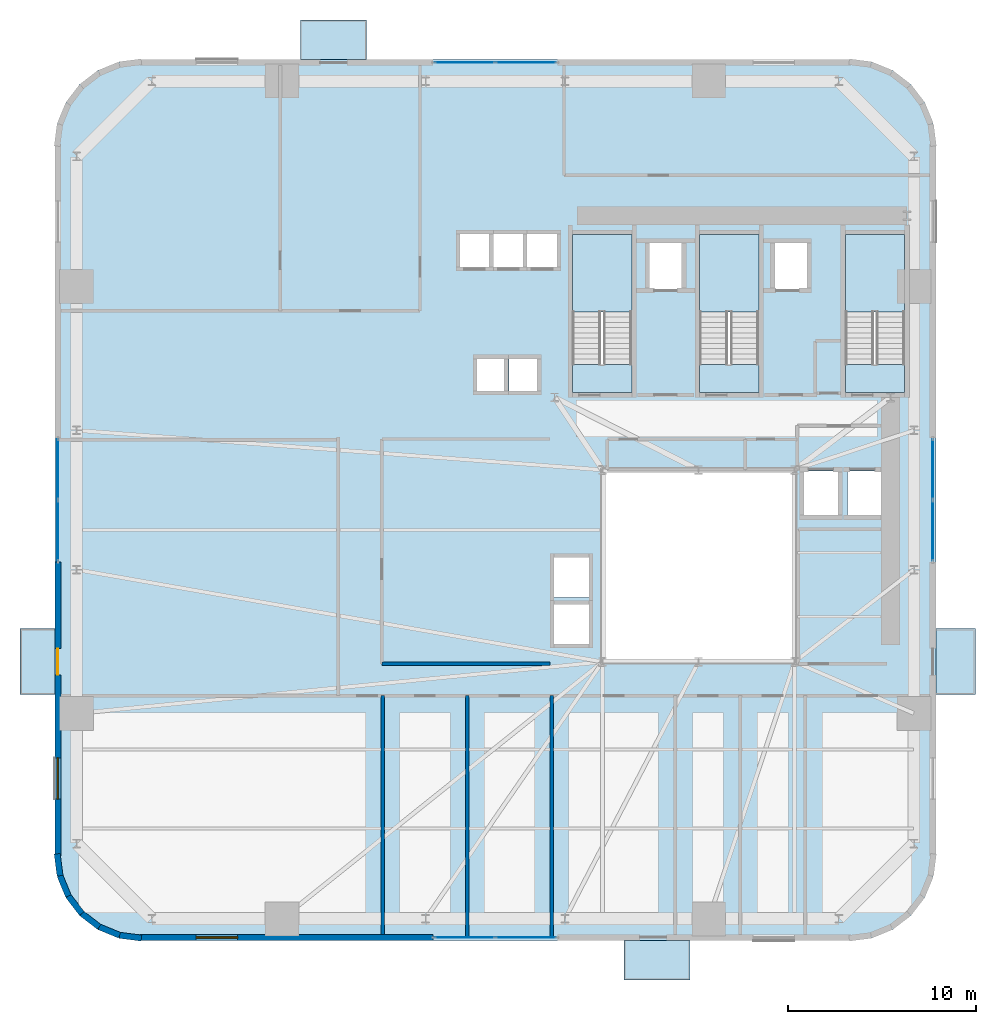
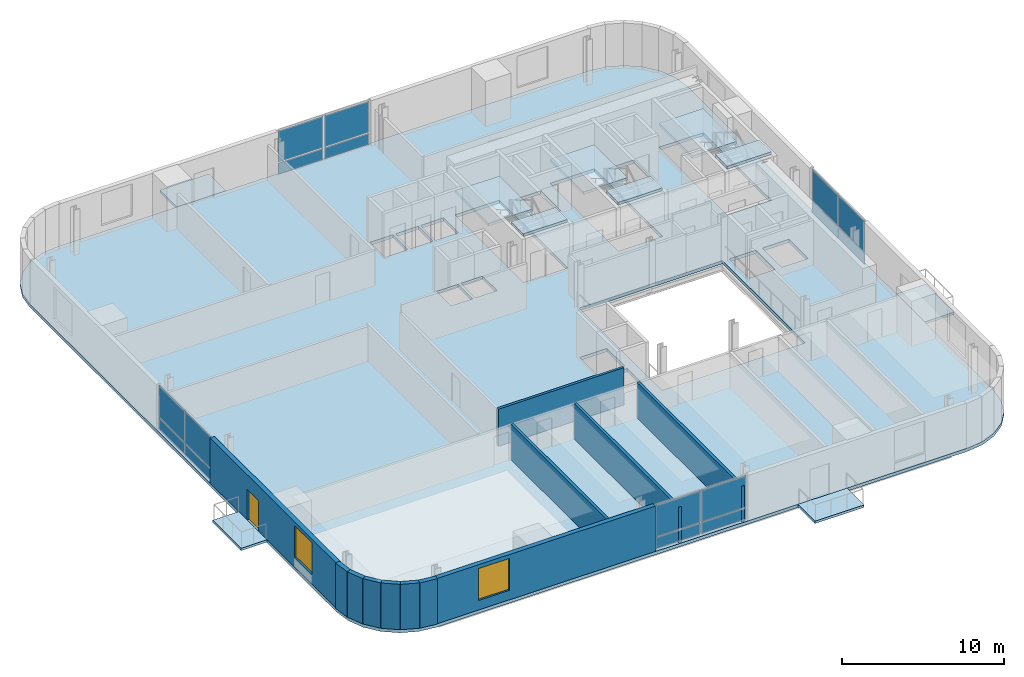
# One storey, part 5 of 13: 16 plates, 12 walls, 11 slabs, 2 windows, 1 door, 3 openings, 7 elements without a shape of their own.
"""IFC4 building model written with IfcOpenShell, lengths in metres."""

from ifc_helpers import new_model, si_unit, direction, frame, frame_2d, origin, origin_2d, place, context, subcontext, project, spatial, polyline, rectangle, outline, extrude, source, transform, mapped, material, layer, layer_set, type_object, element, fill, aggregate, save


model = new_model("IFC4")

# Units and contexts
model_context = context("Model", 3, precision=1e-05, world=origin(), true_north=direction((0.0, 1.0)))
body_context = subcontext(model_context, "Body", "Model", "MODEL_VIEW")
ifc_project = project(units=[si_unit("LENGTHUNIT", "METRE"), si_unit("AREAUNIT", "SQUARE_METRE"), si_unit("VOLUMEUNIT", "CUBIC_METRE"), si_unit("PLANEANGLEUNIT", "RADIAN"), si_unit("MASSUNIT", "GRAM", prefix="KILO")], contexts=[model_context])

# Site, building, storey
site_placement = place(None, origin())
site = spatial("IfcSite", under=ifc_project, at=site_placement, CompositionType="ELEMENT")
building_placement = place(site_placement, origin())
building = spatial("IfcBuilding", under=site, at=building_placement, Name="Vardaveli Station Tower", CompositionType="ELEMENT")
storey_placement = place(building_placement, frame((0.0, 0.0, 82.35009765625)))
storey = spatial("IfcBuildingStorey", under=building, at=storey_placement, Name="L21", CompositionType="ELEMENT", Elevation=82.35009765625)

# Stair, slabs
ifc_material_1 = material(Name="Concrete C40/50", Category="concrete")
stair_type = type_object("IfcStairType", Name="STR-CORE-1500", PredefinedType="HALF_TURN_STAIR", material=ifc_material_1)
stair_1_placement = place(storey_placement, origin())
stair_1 = element("IfcStair", 1, at=stair_1_placement, inside=storey, type_object=stair_type, Name="L21 ST-1", PredefinedType="HALF_TURN_STAIR")
ifc_layer_1 = layer(ifc_material_1, 0.199951171875, Name="Concrete C40/50")
ifc_layer_set_1 = layer_set([ifc_layer_1], Name="Concrete C40/50")
slab_type_1 = type_object("IfcSlabType", Name="SLB-LAND-200", PredefinedType="LANDING", material=ifc_layer_set_1)
slab_1_placement = place(storey_placement, frame((0.0, 0.0, 1.625)))
slab_1 = element("IfcSlab", 2, at=slab_1_placement, type_object=slab_type_1, Name="ST-1 landing 1", PredefinedType="LANDING", context=body_context, shape_type="SweptSolid", body=[
    extrude(outline(polyline([(32.75, 35.199951171875), (32.75, 39.300048828125), (29.60009765625, 39.300048828125), (29.60009765625, 35.199951171875), (32.75, 35.199951171875)])), origin(), (0.0, 0.0, 1.0), 0.199951171875),
])
slab_2_placement = place(storey_placement, frame((0.0, 0.0, 3.449951171875)))
slab_2 = element("IfcSlab", 3, at=slab_2_placement, type_object=slab_type_1, Name="ST-1 landing 2", PredefinedType="LANDING", context=body_context, shape_type="SweptSolid", body=[
    extrude(outline(polyline([(32.75, 30.89990234375), (32.75, 32.39990234375), (29.60009765625, 32.39990234375), (29.60009765625, 30.89990234375), (32.75, 30.89990234375)])), origin(), (0.0, 0.0, 1.0), 0.199951171875),
])
aggregate(stair_1, [slab_1, slab_2])

stair_2_placement = place(storey_placement, origin())
stair_2 = element("IfcStair", 4, at=stair_2_placement, inside=storey, type_object=stair_type, Name="L21 ST-2", PredefinedType="HALF_TURN_STAIR")
slab_3_placement = place(storey_placement, frame((0.0, 0.0, 1.625)))
slab_3 = element("IfcSlab", 5, at=slab_3_placement, type_object=slab_type_1, Name="ST-2 landing 1", PredefinedType="LANDING", context=body_context, shape_type="SweptSolid", body=[
    extrude(outline(polyline([(39.5, 35.199951171875), (39.5, 39.300048828125), (36.35009765625, 39.300048828125), (36.35009765625, 35.199951171875), (39.5, 35.199951171875)])), origin(), (0.0, 0.0, 1.0), 0.199951171875),
])
slab_4_placement = place(storey_placement, frame((0.0, 0.0, 3.449951171875)))
slab_4 = element("IfcSlab", 6, at=slab_4_placement, type_object=slab_type_1, Name="ST-2 landing 2", PredefinedType="LANDING", context=body_context, shape_type="SweptSolid", body=[
    extrude(outline(polyline([(39.5, 30.89990234375), (39.5, 32.39990234375), (36.35009765625, 32.39990234375), (36.35009765625, 30.89990234375), (39.5, 30.89990234375)])), origin(), (0.0, 0.0, 1.0), 0.199951171875),
])
aggregate(stair_2, [slab_3, slab_4])

stair_3_placement = place(storey_placement, origin())
stair_3 = element("IfcStair", 7, at=stair_3_placement, inside=storey, type_object=stair_type, Name="L21 ST-3", PredefinedType="HALF_TURN_STAIR")
slab_5_placement = place(storey_placement, frame((0.0, 0.0, 1.625)))
slab_5 = element("IfcSlab", 8, at=slab_5_placement, type_object=slab_type_1, Name="ST-3 landing 1", PredefinedType="LANDING", context=body_context, shape_type="SweptSolid", body=[
    extrude(outline(polyline([(47.25, 35.199951171875), (47.25, 39.300048828125), (44.10009765625, 39.300048828125), (44.10009765625, 35.199951171875), (47.25, 35.199951171875)])), origin(), (0.0, 0.0, 1.0), 0.199951171875),
])
slab_6_placement = place(storey_placement, frame((0.0, 0.0, 3.449951171875)))
slab_6 = element("IfcSlab", 9, at=slab_6_placement, type_object=slab_type_1, Name="ST-3 landing 2", PredefinedType="LANDING", context=body_context, shape_type="SweptSolid", body=[
    extrude(outline(polyline([(47.25, 30.89990234375), (47.25, 32.39990234375), (44.10009765625, 32.39990234375), (44.10009765625, 30.89990234375), (47.25, 30.89990234375)])), origin(), (0.0, 0.0, 1.0), 0.199951171875),
])
aggregate(stair_3, [slab_5, slab_6])

# Slabs
ifc_material_2 = material(Name="Precast concrete C45/55", Category="concrete")
ifc_layer_2 = layer(ifc_material_2, 0.179931640625, Name="Precast concrete C45/55")
ifc_layer_set_2 = layer_set([ifc_layer_2], Name="Precast concrete C45/55")
slab_type_2 = type_object("IfcSlabType", Name="SLB-LOGGIA-180", PredefinedType="FLOOR", material=ifc_layer_set_2)
slab_7_placement = place(storey_placement, frame((0.0, 0.0, -0.18017578125)))
element("IfcSlab", 10, at=slab_7_placement, inside=storey, type_object=slab_type_2, Name="LOG-L21-S", PredefinedType="FLOOR", context=body_context, shape_type="SweptSolid", body=[
    extrude(outline(polyline([(32.339599609375, -0.300048828125), (35.839599609375, -0.300048828125), (35.839599609375, 1.800048828125), (32.339599609375, 1.800048828125), (32.339599609375, -0.300048828125)])), origin(), (0.0, 0.0, 1.0), 0.18017578125),
])
slab_8_placement = place(storey_placement, frame((0.0, 0.0, -0.18017578125)))
element("IfcSlab", 11, at=slab_8_placement, inside=storey, type_object=slab_type_2, Name="LOG-L21-N", PredefinedType="FLOOR", context=body_context, shape_type="SweptSolid", body=[
    extrude(outline(polyline([(15.160400390625, 48.60009765625), (18.660400390625, 48.60009765625), (18.660400390625, 50.699951171875), (15.160400390625, 50.699951171875), (15.160400390625, 48.60009765625)])), origin(), (0.0, 0.0, 1.0), 0.18017578125),
])
slab_9_placement = place(storey_placement, frame((0.0, 0.0, -0.18017578125)))
element("IfcSlab", 12, at=slab_9_placement, inside=storey, type_object=slab_type_2, Name="LOG-L21-W", PredefinedType="FLOOR", context=body_context, shape_type="SweptSolid", body=[
    extrude(outline(polyline([(0.25, 14.8603515625), (2.10009765625, 14.8603515625), (2.10009765625, 18.3603515625), (0.25, 18.3603515625), (0.25, 14.8603515625)])), origin(), (0.0, 0.0, 1.0), 0.18017578125),
])
slab_10_placement = place(storey_placement, frame((0.0, 0.0, -0.18017578125)))
element("IfcSlab", 13, at=slab_10_placement, inside=storey, type_object=slab_type_2, Name="LOG-L21-E", PredefinedType="FLOOR", context=body_context, shape_type="SweptSolid", body=[
    extrude(outline(polyline([(48.89990234375, 14.8603515625), (51.0, 14.8603515625), (51.0, 18.3603515625), (48.89990234375, 18.3603515625), (48.89990234375, 14.8603515625)])), origin(), (0.0, 0.0, 1.0), 0.18017578125),
])
ifc_layer_3 = layer(ifc_material_1, 0.239990234375, Name="Concrete C40/50")
ifc_layer_set_3 = layer_set([ifc_layer_3], Name="Concrete C40/50")
slab_type_3 = type_object("IfcSlabType", Name="SLB-TOW-240", PredefinedType="FLOOR", material=ifc_layer_set_3)
slab_11_placement = place(storey_placement, frame((0.0, 0.0, -0.239990234375)))
element("IfcSlab", 14, at=slab_11_placement, inside=storey, type_object=slab_type_3, Name="SLB-L21-MAIN", PredefinedType="FLOOR", context=body_context, shape_type="SweptSolid", body=[
    extrude(outline(polyline([(2.10009765625, 6.300048828125), (2.25341796875, 5.13525390625), (2.702880859375, 4.050048828125), (3.41796875, 3.117919921875), (4.35009765625, 2.40283203125), (5.435302734375, 1.953369140625), (6.60009765625, 1.800048828125), (44.39990234375, 1.800048828125), (45.564697265625, 1.953369140625), (46.64990234375, 2.40283203125), (47.58203125, 3.117919921875), (48.297119140625, 4.050048828125), (48.74658203125, 5.13525390625), (48.89990234375, 6.300048828125), (48.89990234375, 44.10009765625), (48.74658203125, 45.2646484375), (48.297119140625, 46.35009765625), (47.58203125, 47.281982421875), (46.64990234375, 47.9970703125), (45.564697265625, 48.44677734375), (44.39990234375, 48.60009765625), (6.60009765625, 48.60009765625), (5.435302734375, 48.44677734375), (4.35009765625, 47.9970703125), (3.41796875, 47.281982421875), (2.702880859375, 46.35009765625), (2.25341796875, 45.2646484375), (2.10009765625, 44.10009765625), (2.10009765625, 6.300048828125)]), holes=[polyline([(31.199951171875, 16.60009765625), (41.39990234375, 16.60009765625), (41.39990234375, 26.800048828125), (31.199951171875, 26.800048828125), (31.199951171875, 16.60009765625)]), polyline([(32.75, 30.89990234375), (32.75, 39.300048828125), (29.60009765625, 39.300048828125), (29.60009765625, 30.89990234375), (32.75, 30.89990234375)]), polyline([(39.5, 30.89990234375), (39.5, 39.300048828125), (36.35009765625, 39.300048828125), (36.35009765625, 30.89990234375), (39.5, 30.89990234375)]), polyline([(47.25, 30.89990234375), (47.25, 39.300048828125), (44.10009765625, 39.300048828125), (44.10009765625, 30.89990234375), (47.25, 30.89990234375)]), polyline([(23.5849609375, 37.534912109375), (25.215087890625, 37.534912109375), (25.215087890625, 39.364990234375), (23.5849609375, 39.364990234375), (23.5849609375, 37.534912109375)]), polyline([(25.385009765625, 37.534912109375), (27.014892578125, 37.534912109375), (27.014892578125, 39.364990234375), (25.385009765625, 39.364990234375), (25.385009765625, 37.534912109375)]), polyline([(27.18505859375, 37.534912109375), (28.81494140625, 37.534912109375), (28.81494140625, 39.364990234375), (27.18505859375, 39.364990234375), (27.18505859375, 37.534912109375)]), polyline([(33.659912109375, 36.409912109375), (35.43994140625, 36.409912109375), (35.43994140625, 38.889892578125), (33.659912109375, 38.889892578125), (33.659912109375, 36.409912109375)]), polyline([(40.31005859375, 36.409912109375), (42.090087890625, 36.409912109375), (42.090087890625, 38.889892578125), (40.31005859375, 38.889892578125), (40.31005859375, 36.409912109375)]), polyline([(24.485107421875, 30.9599609375), (26.014892578125, 30.9599609375), (26.014892578125, 32.739990234375), (24.485107421875, 32.739990234375), (24.485107421875, 30.9599609375)]), polyline([(26.235107421875, 30.9599609375), (27.764892578125, 30.9599609375), (27.764892578125, 32.739990234375), (26.235107421875, 32.739990234375), (26.235107421875, 30.9599609375)]), polyline([(28.5849609375, 17.510009765625), (30.514892578125, 17.510009765625), (30.514892578125, 19.68994140625), (28.5849609375, 19.68994140625), (28.5849609375, 17.510009765625)]), polyline([(28.5849609375, 20.010009765625), (30.514892578125, 20.010009765625), (30.514892578125, 22.18994140625), (28.5849609375, 22.18994140625), (28.5849609375, 20.010009765625)]), polyline([(41.860107421875, 24.360107421875), (43.739990234375, 24.360107421875), (43.739990234375, 26.739990234375), (41.860107421875, 26.739990234375), (41.860107421875, 24.360107421875)]), polyline([(44.2099609375, 24.360107421875), (46.090087890625, 24.360107421875), (46.090087890625, 26.739990234375), (44.2099609375, 26.739990234375), (44.2099609375, 24.360107421875)])]), origin(), (0.0, 0.0, 1.0), 0.239990234375),
])

# Curtain wall, plates
ifc_material_3 = material(Name="Travertine stone and solar-control glass", Category="masonry")
curtain_wall_type = type_object("IfcCurtainWallType", Name="CW-SYS-2", PredefinedType="NOTDEFINED", material=ifc_material_3)
curtain_wall_1_placement = place(storey_placement, origin())
curtain_wall_1 = element("IfcCurtainWall", 15, at=curtain_wall_1_placement, inside=storey, type_object=curtain_wall_type, Name="CW-L21-S", PredefinedType="NOTDEFINED")
ifc_material_4 = material(Name="Double-glazed low-E solar-control glass", Category="glass")
ifc_layer_4 = layer(ifc_material_4, 0.035888671875, Name="Double-glazed low-E solar-control glass")
ifc_layer_set_4 = layer_set([ifc_layer_4], Name="Double-glazed low-E solar-control glass")
plate_type = type_object("IfcPlateType", Name="CW-SYS-2-PAN", PredefinedType="CURTAIN_PANEL", material=ifc_layer_set_4)
shared_shape_1 = source(origin(), body_context, "Body", "SweptSolid", [
    extrude(rectangle(XDim=3.172607421875, YDim=0.035888671875, at=origin_2d()), origin(), (0.0, 0.0, 1.0), 0.822509765625),
])
plate_1_placement = place(storey_placement, frame((23.871337890625, 1.9599609375, 0.0849609375), z_axis=(0.0, 0.0, 1.0), x_axis=(1.0, 0.0, 0.0)))
plate_1 = element("IfcPlate", 16, at=plate_1_placement, type_object=plate_type, Name="CW-2 panel 1.1", PredefinedType="CURTAIN_PANEL", context=body_context, shape_type="MappedRepresentation", body=[
    mapped(shared_shape_1, transform((0.0, 0.0, 0.0), scale=1.0)),
])
plate_2_placement = place(storey_placement, frame((27.128662109375, 1.9599609375, 0.0849609375), z_axis=(0.0, 0.0, 1.0), x_axis=(1.0, 0.0, 0.0)))
plate_2 = element("IfcPlate", 17, at=plate_2_placement, type_object=plate_type, Name="CW-2 panel 2.1", PredefinedType="CURTAIN_PANEL", context=body_context, shape_type="MappedRepresentation", body=[
    mapped(shared_shape_1, transform((0.0, 0.0, 0.0), scale=1.0)),
])

curtain_wall_2_placement = place(storey_placement, origin())
curtain_wall_2 = element("IfcCurtainWall", 18, at=curtain_wall_2_placement, inside=storey, type_object=curtain_wall_type, Name="CW-L21-N", PredefinedType="NOTDEFINED")
plate_3_placement = place(storey_placement, frame((27.128662109375, 48.43994140625, 0.0849609375), z_axis=(0.0, 0.0, 1.0), x_axis=(-1.0, 0.0, 0.0)))
plate_3 = element("IfcPlate", 19, at=plate_3_placement, type_object=plate_type, Name="CW-2 panel 1.1", PredefinedType="CURTAIN_PANEL", context=body_context, shape_type="MappedRepresentation", body=[
    mapped(shared_shape_1, transform((0.0, 0.0, 0.0), scale=1.0)),
])
plate_4_placement = place(storey_placement, frame((23.871337890625, 48.43994140625, 0.0849609375), z_axis=(0.0, 0.0, 1.0), x_axis=(-1.0, 0.0, 0.0)))
plate_4 = element("IfcPlate", 20, at=plate_4_placement, type_object=plate_type, Name="CW-2 panel 2.1", PredefinedType="CURTAIN_PANEL", context=body_context, shape_type="MappedRepresentation", body=[
    mapped(shared_shape_1, transform((0.0, 0.0, 0.0), scale=1.0)),
])

curtain_wall_3_placement = place(storey_placement, origin())
curtain_wall_3 = element("IfcCurtainWall", 21, at=curtain_wall_3_placement, inside=storey, type_object=curtain_wall_type, Name="CW-L21-W", PredefinedType="NOTDEFINED")
plate_5_placement = place(storey_placement, frame((2.260009765625, 26.828857421875, 0.0849609375), z_axis=(0.0, 0.0, 1.0), x_axis=(0.0, -1.0, 0.0)))
plate_5 = element("IfcPlate", 22, at=plate_5_placement, type_object=plate_type, Name="CW-2 panel 1.1", PredefinedType="CURTAIN_PANEL", context=body_context, shape_type="MappedRepresentation", body=[
    mapped(shared_shape_1, transform((0.0, 0.0, 0.0), scale=1.0)),
])
plate_6_placement = place(storey_placement, frame((2.260009765625, 23.5712890625, 0.0849609375), z_axis=(0.0, 0.0, 1.0), x_axis=(0.0, -1.0, 0.0)))
plate_6 = element("IfcPlate", 23, at=plate_6_placement, type_object=plate_type, Name="CW-2 panel 2.1", PredefinedType="CURTAIN_PANEL", context=body_context, shape_type="MappedRepresentation", body=[
    mapped(shared_shape_1, transform((0.0, 0.0, 0.0), scale=1.0)),
])

curtain_wall_4_placement = place(storey_placement, origin())
curtain_wall_4 = element("IfcCurtainWall", 24, at=curtain_wall_4_placement, inside=storey, type_object=curtain_wall_type, Name="CW-L21-E", PredefinedType="NOTDEFINED")
plate_7_placement = place(storey_placement, frame((48.739990234375, 23.5712890625, 0.0849609375), z_axis=(0.0, 0.0, 1.0), x_axis=(0.0, 1.0, 0.0)))
plate_7 = element("IfcPlate", 25, at=plate_7_placement, type_object=plate_type, Name="CW-2 panel 1.1", PredefinedType="CURTAIN_PANEL", context=body_context, shape_type="MappedRepresentation", body=[
    mapped(shared_shape_1, transform((0.0, 0.0, 0.0), scale=1.0)),
])
plate_8_placement = place(storey_placement, frame((48.739990234375, 26.828857421875, 0.0849609375), z_axis=(0.0, 0.0, 1.0), x_axis=(0.0, 1.0, 0.0)))
plate_8 = element("IfcPlate", 26, at=plate_8_placement, type_object=plate_type, Name="CW-2 panel 2.1", PredefinedType="CURTAIN_PANEL", context=body_context, shape_type="MappedRepresentation", body=[
    mapped(shared_shape_1, transform((0.0, 0.0, 0.0), scale=1.0)),
])

# Plate
shared_shape_2 = source(origin(), body_context, "Body", "SweptSolid", [
    extrude(rectangle(XDim=3.172607421875, YDim=0.035888671875, at=origin_2d()), origin(), (0.0, 0.0, 1.0), 2.33251953125),
])
plate_9_placement = place(storey_placement, frame((23.871337890625, 1.9599609375, 0.992431640625), z_axis=(0.0, 0.0, 1.0), x_axis=(1.0, 0.0, 0.0)))
plate_9 = element("IfcPlate", 27, at=plate_9_placement, type_object=plate_type, Name="CW-2 panel 1.2", PredefinedType="CURTAIN_PANEL", context=body_context, shape_type="MappedRepresentation", body=[
    mapped(shared_shape_2, transform((0.0, 0.0, 0.0), scale=1.0)),
])

plate_10_placement = place(storey_placement, frame((27.128662109375, 1.9599609375, 0.992431640625), z_axis=(0.0, 0.0, 1.0), x_axis=(1.0, 0.0, 0.0)))
plate_10 = element("IfcPlate", 28, at=plate_10_placement, type_object=plate_type, Name="CW-2 panel 2.2", PredefinedType="CURTAIN_PANEL", context=body_context, shape_type="MappedRepresentation", body=[
    mapped(shared_shape_2, transform((0.0, 0.0, 0.0), scale=1.0)),
])

aggregate(curtain_wall_1, [plate_1, plate_9, plate_2, plate_10])

plate_11_placement = place(storey_placement, frame((27.128662109375, 48.43994140625, 0.992431640625), z_axis=(0.0, 0.0, 1.0), x_axis=(-1.0, 0.0, 0.0)))
plate_11 = element("IfcPlate", 29, at=plate_11_placement, type_object=plate_type, Name="CW-2 panel 1.2", PredefinedType="CURTAIN_PANEL", context=body_context, shape_type="MappedRepresentation", body=[
    mapped(shared_shape_2, transform((0.0, 0.0, 0.0), scale=1.0)),
])

plate_12_placement = place(storey_placement, frame((23.871337890625, 48.43994140625, 0.992431640625), z_axis=(0.0, 0.0, 1.0), x_axis=(-1.0, 0.0, 0.0)))
plate_12 = element("IfcPlate", 30, at=plate_12_placement, type_object=plate_type, Name="CW-2 panel 2.2", PredefinedType="CURTAIN_PANEL", context=body_context, shape_type="MappedRepresentation", body=[
    mapped(shared_shape_2, transform((0.0, 0.0, 0.0), scale=1.0)),
])

aggregate(curtain_wall_2, [plate_3, plate_11, plate_4, plate_12])

plate_13_placement = place(storey_placement, frame((2.260009765625, 26.828857421875, 0.992431640625), z_axis=(0.0, 0.0, 1.0), x_axis=(0.0, -1.0, 0.0)))
plate_13 = element("IfcPlate", 31, at=plate_13_placement, type_object=plate_type, Name="CW-2 panel 1.2", PredefinedType="CURTAIN_PANEL", context=body_context, shape_type="MappedRepresentation", body=[
    mapped(shared_shape_2, transform((0.0, 0.0, 0.0), scale=1.0)),
])

plate_14_placement = place(storey_placement, frame((2.260009765625, 23.5712890625, 0.992431640625), z_axis=(0.0, 0.0, 1.0), x_axis=(0.0, -1.0, 0.0)))
plate_14 = element("IfcPlate", 32, at=plate_14_placement, type_object=plate_type, Name="CW-2 panel 2.2", PredefinedType="CURTAIN_PANEL", context=body_context, shape_type="MappedRepresentation", body=[
    mapped(shared_shape_2, transform((0.0, 0.0, 0.0), scale=1.0)),
])

aggregate(curtain_wall_3, [plate_5, plate_13, plate_6, plate_14])

plate_15_placement = place(storey_placement, frame((48.739990234375, 23.5712890625, 0.992431640625), z_axis=(0.0, 0.0, 1.0), x_axis=(0.0, 1.0, 0.0)))
plate_15 = element("IfcPlate", 33, at=plate_15_placement, type_object=plate_type, Name="CW-2 panel 1.2", PredefinedType="CURTAIN_PANEL", context=body_context, shape_type="MappedRepresentation", body=[
    mapped(shared_shape_2, transform((0.0, 0.0, 0.0), scale=1.0)),
])

plate_16_placement = place(storey_placement, frame((48.739990234375, 26.828857421875, 0.992431640625), z_axis=(0.0, 0.0, 1.0), x_axis=(0.0, 1.0, 0.0)))
plate_16 = element("IfcPlate", 34, at=plate_16_placement, type_object=plate_type, Name="CW-2 panel 2.2", PredefinedType="CURTAIN_PANEL", context=body_context, shape_type="MappedRepresentation", body=[
    mapped(shared_shape_2, transform((0.0, 0.0, 0.0), scale=1.0)),
])

aggregate(curtain_wall_4, [plate_7, plate_15, plate_8, plate_16])

# Wall, opening, window
ifc_layer_5 = layer(ifc_material_2, 0.320068359375, Name="Precast concrete C45/55")
ifc_layer_set_5 = layer_set([ifc_layer_5], Name="Precast concrete C45/55")
wall_type_1 = type_object("IfcWallType", Name="WAL-EXT-STONE-320", PredefinedType="SOLIDWALL", material=ifc_layer_set_5)
shared_shape_3 = source(origin(), body_context, "Body", "SweptSolid", [
    extrude(rectangle(XDim=15.599853515625, YDim=0.320068359375, at=frame_2d((7.7998046875, 0.0))), origin(), (0.0, 0.0, 1.0), 3.409912109375),
])
wall_1_placement = place(storey_placement, frame((6.60009765625, 1.9599609375, 0.0), z_axis=(0.0, 0.0, 1.0), x_axis=(1.0, 0.0, 0.0)))
wall_1 = element("IfcWall", 35, at=wall_1_placement, inside=storey, type_object=wall_type_1, Name="EW-L21-S1", PredefinedType="SOLIDWALL", context=body_context, shape_type="MappedRepresentation", body=[
    mapped(shared_shape_3, transform((0.0, 0.0, 0.0), scale=1.0)),
])
shared_shape_4 = source(origin(), body_context, "Body", "SweptSolid", [
    extrude(rectangle(XDim=2.199951171875, YDim=2.39990234375, at=frame_2d((1.10009765625, 1.199951171875))), frame((0.0, 0.169921875, 0.0), z_axis=(0.0, -1.0, 0.0), x_axis=(1.0, 0.0, 0.0)), (0.0, 0.0, 1.0), 0.340087890625),
])
opening_1_placement = place(wall_1_placement, frame((3.0048828125, 0.0, 0.719970703125)))
opening_1 = element("IfcOpeningElement", 36, at=opening_1_placement, cuts=wall_1, Name="Opening W-03", PredefinedType="OPENING", context=body_context, shape_type="MappedRepresentation", body=[
    mapped(shared_shape_4, transform((0.0, 0.0, 0.0), scale=1.0)),
])
ifc_material_5 = material(Name="Low-E solar-control glass", Category="glass")
window_type = type_object("IfcWindowType", Name="WIN-LOG-2200x2400", PartitioningType="SINGLE_PANEL", PredefinedType="WINDOW", material=ifc_material_5)
shared_shape_5 = source(origin(), body_context, "Body", "SweptSolid", [
    extrude(rectangle(XDim=2.199951171875, YDim=2.39990234375, at=frame_2d((1.10009765625, 1.199951171875))), frame((0.0, 0.030029296875, 0.0), z_axis=(0.0, -1.0, 0.0), x_axis=(1.0, 0.0, 0.0)), (0.0, 0.0, 1.0), 0.06005859375),
])
window_1_placement = place(opening_1_placement, origin())
window_1 = element("IfcWindow", 37, at=window_1_placement, inside=storey, type_object=window_type, Name="WN-L21-S1", OverallHeight=2.39990234375, OverallWidth=2.199951171875, PartitioningType="SINGLE_PANEL", PredefinedType="WINDOW", context=body_context, shape_type="MappedRepresentation", body=[
    mapped(shared_shape_5, transform((0.0, 0.0, 0.0), scale=1.0)),
])
fill(opening_1, window_1)

# Wall, openings, door, window
wall_2_placement = place(storey_placement, frame((2.260009765625, 21.89990234375, 0.0), z_axis=(0.0, 0.0, 1.0), x_axis=(0.0, -1.0, 0.0)))
wall_2 = element("IfcWall", 38, at=wall_2_placement, inside=storey, type_object=wall_type_1, Name="EW-L21-W2", PredefinedType="SOLIDWALL", context=body_context, shape_type="MappedRepresentation", body=[
    mapped(shared_shape_3, transform((0.0, 0.0, 0.0), scale=1.0)),
])
shared_shape_6 = source(origin(), body_context, "Body", "SweptSolid", [
    extrude(rectangle(XDim=1.39990234375, YDim=2.300048828125, at=frame_2d((0.699951171875, 1.14990234375))), frame((0.0, 0.169921875, 0.0), z_axis=(0.0, -1.0, 0.0), x_axis=(1.0, 0.0, 0.0)), (0.0, 0.0, 1.0), 0.340087890625),
])
opening_2_placement = place(wall_2_placement, frame((4.589599609375, 0.0, 0.0)))
opening_2 = element("IfcOpeningElement", 39, at=opening_2_placement, cuts=wall_2, Name="Opening D-09", PredefinedType="OPENING", context=body_context, shape_type="MappedRepresentation", body=[
    mapped(shared_shape_6, transform((0.0, 0.0, 0.0), scale=1.0)),
])
opening_3_placement = place(wall_2_placement, frame((10.39501953125, 0.0, 0.719970703125)))
opening_3 = element("IfcOpeningElement", 40, at=opening_3_placement, cuts=wall_2, Name="Opening W-03", PredefinedType="OPENING", context=body_context, shape_type="MappedRepresentation", body=[
    mapped(shared_shape_4, transform((0.0, 0.0, 0.0), scale=1.0)),
])
ifc_material_6 = material(Name="Thermally broken aluminium glass", Category="aluminium")
door_type = type_object("IfcDoorType", Name="DR-LOG-1400x2300", OperationType="DOUBLE_DOOR_SLIDING", PredefinedType="DOOR", material=ifc_material_6)
shared_shape_7 = source(origin(), body_context, "Body", "SweptSolid", [
    extrude(rectangle(XDim=1.39990234375, YDim=2.300048828125, at=frame_2d((0.699951171875, 1.14990234375))), frame((0.0, 0.02490234375, 0.0), z_axis=(0.0, -1.0, 0.0), x_axis=(1.0, 0.0, 0.0)), (0.0, 0.0, 1.0), 0.050048828125),
])
door_placement = place(opening_2_placement, frame((1.39990234375, 0.0, 0.0), z_axis=(0.0, 0.0, 1.0), x_axis=(-1.0, 0.0, 0.0)))
door = element("IfcDoor", 41, at=door_placement, inside=storey, type_object=door_type, Name="DLG-L21-W", OperationType="DOUBLE_DOOR_SLIDING", OverallHeight=2.300048828125, OverallWidth=1.39990234375, PredefinedType="DOOR", context=body_context, shape_type="MappedRepresentation", body=[
    mapped(shared_shape_7, transform((0.0, 0.0, 0.0), scale=1.0)),
])
fill(opening_2, door)
window_2_placement = place(opening_3_placement, origin())
window_2 = element("IfcWindow", 42, at=window_2_placement, inside=storey, type_object=window_type, Name="WN-L21-W2", OverallHeight=2.39990234375, OverallWidth=2.199951171875, PartitioningType="SINGLE_PANEL", PredefinedType="WINDOW", context=body_context, shape_type="MappedRepresentation", body=[
    mapped(shared_shape_5, transform((0.0, 0.0, 0.0), scale=1.0)),
])
fill(opening_3, window_2)

# Walls
shared_shape_8 = source(origin(), body_context, "Body", "SweptSolid", [
    extrude(rectangle(XDim=1.170654296875, YDim=0.320068359375, at=frame_2d((0.58544921875, 0.0))), origin(), (0.0, 0.0, 1.0), 3.409912109375),
])
wall_3_placement = place(storey_placement, frame((2.224365234375, 6.400634765625, 0.0), z_axis=(0.0, 0.0, 1.0), x_axis=(0.128269133229, -0.991739395941, 0.0)))
element("IfcWall", 43, at=wall_3_placement, inside=storey, type_object=wall_type_1, Name="EW-L21-CR1-1", PredefinedType="SOLIDWALL", context=body_context, shape_type="MappedRepresentation", body=[
    mapped(shared_shape_8, transform((0.0, 0.0, 0.0), scale=1.0)),
])
shared_shape_9 = source(origin(), body_context, "Body", "SweptSolid", [
    extrude(rectangle(XDim=1.1689453125, YDim=0.320068359375, at=frame_2d((0.58447265625, 0.0))), origin(), (0.0, 0.0, 1.0), 3.409912109375),
])
for number, where, z_axis, x_axis, name in (
    (44, (2.37451171875, 5.23974609375, 0.0), (0.0, 0.0, 1.0), (0.381127904695, -0.924522320046, 0.0), "EW-L21-CR1-2"),
    (45, (2.820068359375, 4.158935546875, 0.0), (0.0, 0.0, 1.0), (0.608387696831, -0.793639975269, 0.0), "EW-L21-CR1-3"),
):
    element("IfcWall", number, at=place(storey_placement, frame(where, z_axis=z_axis, x_axis=x_axis)), inside=storey, type_object=wall_type_1, Name=name, PredefinedType="SOLIDWALL", context=body_context, shape_type="MappedRepresentation", body=[
        mapped(shared_shape_9, transform((0.0, 0.0, 0.0), scale=1.0)),
    ])
shared_shape_10 = source(origin(), body_context, "Body", "SweptSolid", [
    extrude(rectangle(XDim=1.168701171875, YDim=0.320068359375, at=frame_2d((0.58447265625, 0.0))), origin(), (0.0, 0.0, 1.0), 3.409912109375),
])
wall_4_placement = place(storey_placement, frame((3.53125, 3.231201171875, 0.0), z_axis=(0.0, 0.0, 1.0), x_axis=(0.793663520347, -0.608356981114, 0.0)))
element("IfcWall", 46, at=wall_4_placement, inside=storey, type_object=wall_type_1, Name="EW-L21-CR1-4", PredefinedType="SOLIDWALL", context=body_context, shape_type="MappedRepresentation", body=[
    mapped(shared_shape_10, transform((0.0, 0.0, 0.0), scale=1.0)),
])
shared_shape_11 = source(origin(), body_context, "Body", "SweptSolid", [
    extrude(rectangle(XDim=1.16943359375, YDim=0.320068359375, at=frame_2d((0.584716796875, 0.0))), origin(), (0.0, 0.0, 1.0), 3.409912109375),
])
wall_5_placement = place(storey_placement, frame((4.458740234375, 2.520263671875, 0.0), z_axis=(0.0, 0.0, 1.0), x_axis=(0.924479075121, -0.381232789334, 0.0)))
element("IfcWall", 47, at=wall_5_placement, inside=storey, type_object=wall_type_1, Name="EW-L21-CR1-5", PredefinedType="SOLIDWALL", context=body_context, shape_type="MappedRepresentation", body=[
    mapped(shared_shape_11, transform((0.0, 0.0, 0.0), scale=1.0)),
])
shared_shape_12 = source(origin(), body_context, "Body", "SweptSolid", [
    extrude(rectangle(XDim=1.170166015625, YDim=0.320068359375, at=frame_2d((0.5849609375, 0.0))), origin(), (0.0, 0.0, 1.0), 3.409912109375),
])
wall_6_placement = place(storey_placement, frame((5.539794921875, 2.074462890625, 0.0), z_axis=(0.0, 0.0, 1.0), x_axis=(0.991762485493, -0.128090485085, 0.0)))
element("IfcWall", 48, at=wall_6_placement, inside=storey, type_object=wall_type_1, Name="EW-L21-CR1-6", PredefinedType="SOLIDWALL", context=body_context, shape_type="MappedRepresentation", body=[
    mapped(shared_shape_12, transform((0.0, 0.0, 0.0), scale=1.0)),
])
ifc_material_7 = material(Name="Acoustic twin-stud gypsum partition")
ifc_layer_6 = layer(ifc_material_7, 0.199951171875, Name="Acoustic twin-stud gypsum partition")
ifc_layer_set_6 = layer_set([ifc_layer_6], Name="Acoustic twin-stud gypsum partition")
wall_type_2 = type_object("IfcWallType", Name="WAL-PARTY-200", PredefinedType="PARTITIONING", material=ifc_layer_set_6)
shared_shape_13 = source(origin(), body_context, "Body", "SweptSolid", [
    extrude(rectangle(XDim=12.68798828125, YDim=0.199951171875, at=frame_2d((6.343994140625, 0.0))), origin(), (0.0, 0.0, 1.0), 2.65185546875),
])
wall_7_placement = place(storey_placement, frame((19.52001953125, 2.1220703125, 0.0), z_axis=(0.0, 0.0, 1.0), x_axis=(0.0, 1.0, 0.0)))
element("IfcWall", 49, at=wall_7_placement, inside=storey, type_object=wall_type_2, Name="W-L21-PS1", PredefinedType="PARTITIONING", context=body_context, shape_type="MappedRepresentation", body=[
    mapped(shared_shape_13, transform((0.0, 0.0, 0.0), scale=1.0)),
])
shared_shape_14 = source(origin(), body_context, "Body", "SweptSolid", [
    extrude(rectangle(XDim=12.880126953125, YDim=0.199951171875, at=frame_2d((6.43994140625, 0.0))), origin(), (0.0, 0.0, 1.0), 2.65185546875),
])
for number, where, z_axis, x_axis, name in (
    (50, (24.009033203125, 1.929931640625, 0.0), (0.0, 0.0, 1.0), (0.0, 1.0, 0.0), "W-L21-PS2"),
    (51, (28.498046875, 1.929931640625, 0.0), (0.0, 0.0, 1.0), (0.0, 1.0, 0.0), "W-L21-PS3"),
):
    element("IfcWall", number, at=place(storey_placement, frame(where, z_axis=z_axis, x_axis=x_axis)), inside=storey, type_object=wall_type_2, Name=name, PredefinedType="PARTITIONING", context=body_context, shape_type="MappedRepresentation", body=[
        mapped(shared_shape_14, transform((0.0, 0.0, 0.0), scale=1.0)),
    ])
ifc_material_8 = material(Name="Fire-rated gypsum stud partition")
ifc_layer_7 = layer(ifc_material_8, 0.179931640625, Name="Fire-rated gypsum stud partition")
ifc_layer_set_7 = layer_set([ifc_layer_7], Name="Fire-rated gypsum stud partition")
wall_type_3 = type_object("IfcWallType", Name="WAL-CORR-180", PredefinedType="PARTITIONING", material=ifc_layer_set_7)
shared_shape_15 = source(origin(), body_context, "Body", "SweptSolid", [
    extrude(rectangle(XDim=8.929931640625, YDim=0.179931640625, at=frame_2d((4.46484375, 0.0))), origin(), (0.0, 0.0, 1.0), 2.802001953125),
])
wall_8_placement = place(storey_placement, frame((19.469970703125, 16.5, 0.0), z_axis=(0.0, 0.0, 1.0), x_axis=(1.0, 0.0, 0.0)))
element("IfcWall", 52, at=wall_8_placement, inside=storey, type_object=wall_type_3, Name="W-L21-ATW-S", PredefinedType="PARTITIONING", context=body_context, shape_type="MappedRepresentation", body=[
    mapped(shared_shape_15, transform((0.0, 0.0, 0.0), scale=1.0)),
])

save(model, "model.ifc")
